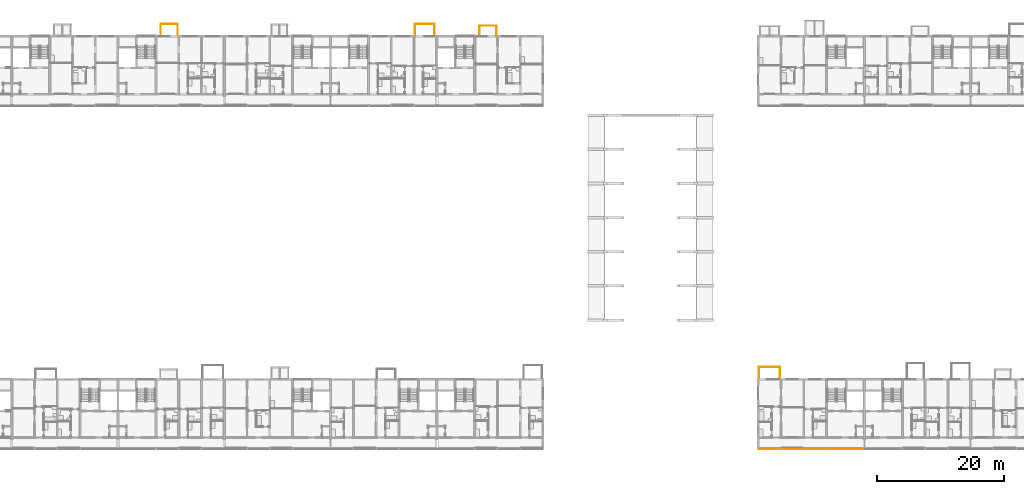
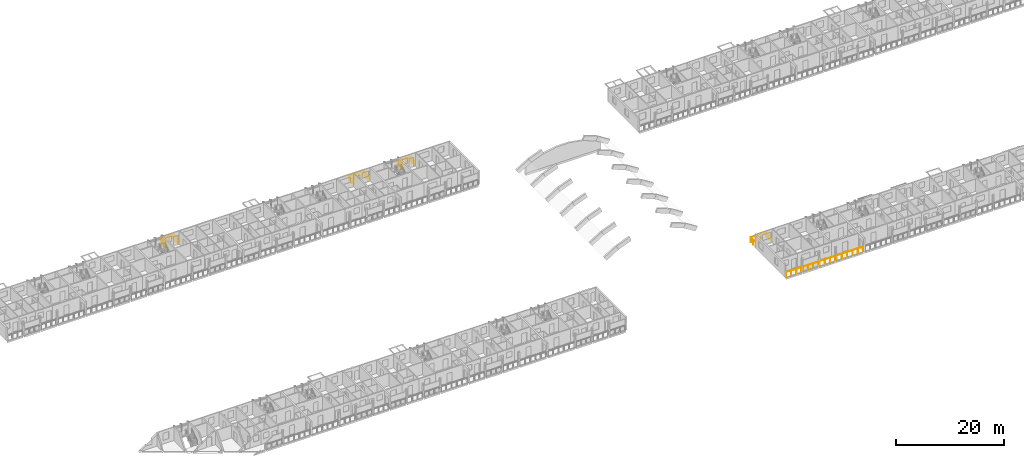
# One storey, part 87 of 99: 8 railings.
"""IFC4 building model written with IfcOpenShell, lengths in metres."""

from ifc_helpers import new_model, si_unit, direction, frame, origin, origin_2d, place, context, subcontext, project, spatial, circle, extrude, material, type_object, element, save


model = new_model("IFC4")

# Units and contexts
model_context = context("Model", 3, precision=1e-05, world=origin(), true_north=direction((0.0, 1.0)))
body_context = subcontext(model_context, "Body", "Model", "MODEL_VIEW")
ifc_project = project(units=[si_unit("LENGTHUNIT", "METRE"), si_unit("AREAUNIT", "SQUARE_METRE"), si_unit("VOLUMEUNIT", "CUBIC_METRE"), si_unit("PLANEANGLEUNIT", "RADIAN"), si_unit("MASSUNIT", "GRAM", prefix="KILO")], contexts=[model_context])

# Site, building, storey
site_placement = place(None, origin())
site = spatial("IfcSite", under=ifc_project, at=site_placement, CompositionType="ELEMENT")
building_placement = place(site_placement, origin())
building = spatial("IfcBuilding", under=site, at=building_placement, Name="Ridgestep Commons", CompositionType="ELEMENT")
storey_placement = place(building_placement, frame((0.0, 0.0, 15.0)))
storey = spatial("IfcBuildingStorey", under=building, at=storey_placement, Name="L05", CompositionType="ELEMENT", Elevation=15.0)

# Railings
ifc_material_1 = material(Name="Structural steel S355JR", Category="steel")
railing_type_1 = type_object("IfcRailingType", Name="Guard 1100", PredefinedType="GUARDRAIL", material=ifc_material_1)
railing_1_placement = place(storey_placement, frame((146.970947265625, 11.800048828125, 0.0)))
element("IfcRailing", 1, at=railing_1_placement, inside=storey, type_object=railing_type_1, Name="Gallery guard D 05.1", PredefinedType="GUARDRAIL", context=body_context, shape_type="SweptSolid", body=[
    extrude(circle(Radius=0.02392578125, at=origin_2d()), frame((0.0, 0.0, 1.076171875), z_axis=(1.0, 0.0, 0.0), x_axis=(0.0, 1.0, 0.0)), (0.0, 0.0, 1.0), 3.282958984375),
    extrude(circle(Radius=0.02099609375, at=origin_2d()), origin(), (0.0, 0.0, 1.0), 1.052001953125),
    extrude(circle(Radius=0.02099609375, at=origin_2d()), frame((1.09423828125, 0.0, 0.0)), (0.0, 0.0, 1.0), 1.052001953125),
    extrude(circle(Radius=0.02099609375, at=origin_2d()), frame((2.188720703125, 0.0, 0.0)), (0.0, 0.0, 1.0), 1.052001953125),
    extrude(circle(Radius=0.02099609375, at=origin_2d()), frame((3.282958984375, 0.0, 0.0)), (0.0, 0.0, 1.0), 1.052001953125),
])
for number, where, name in (
    (2, (150.5458984375, 11.800048828125, 0.0), "Gallery guard D 05.2"),
    (3, (154.14599609375, 11.800048828125, 0.0), "Gallery guard D 05.3"),
):
    element("IfcRailing", number, at=place(storey_placement, frame(where)), inside=storey, type_object=railing_type_1, Name=name, PredefinedType="GUARDRAIL", context=body_context, shape_type="SweptSolid", body=[
        extrude(circle(Radius=0.02392578125, at=origin_2d()), frame((0.0, 0.0, 1.076171875), z_axis=(1.0, 0.0, 0.0), x_axis=(0.0, 1.0, 0.0)), (0.0, 0.0, 1.0), 3.30810546875),
        extrude(circle(Radius=0.02099609375, at=origin_2d()), origin(), (0.0, 0.0, 1.0), 1.052001953125),
        extrude(circle(Radius=0.02099609375, at=origin_2d()), frame((1.102783203125, 0.0, 0.0)), (0.0, 0.0, 1.0), 1.052001953125),
        extrude(circle(Radius=0.02099609375, at=origin_2d()), frame((2.205322265625, 0.0, 0.0)), (0.0, 0.0, 1.0), 1.052001953125),
        extrude(circle(Radius=0.02099609375, at=origin_2d()), frame((3.30810546875, 0.0, 0.0)), (0.0, 0.0, 1.0), 1.052001953125),
    ])
railing_2_placement = place(storey_placement, frame((157.74609375, 11.800048828125, 0.0)))
element("IfcRailing", 4, at=railing_2_placement, inside=storey, type_object=railing_type_1, Name="Gallery guard D 05.4", PredefinedType="GUARDRAIL", context=body_context, shape_type="SweptSolid", body=[
    extrude(circle(Radius=0.02392578125, at=origin_2d()), frame((0.0, 0.0, 1.076171875), z_axis=(1.0, 0.0, 0.0), x_axis=(0.0, 1.0, 0.0)), (0.0, 0.0, 1.0), 5.682861328125),
    extrude(circle(Radius=0.02099609375, at=origin_2d()), origin(), (0.0, 0.0, 1.0), 1.052001953125),
    extrude(circle(Radius=0.02099609375, at=origin_2d()), frame((1.136474609375, 0.0, 0.0)), (0.0, 0.0, 1.0), 1.052001953125),
    extrude(circle(Radius=0.02099609375, at=origin_2d()), frame((2.273193359375, 0.0, 0.0)), (0.0, 0.0, 1.0), 1.052001953125),
    extrude(circle(Radius=0.02099609375, at=origin_2d()), frame((3.40966796875, 0.0, 0.0)), (0.0, 0.0, 1.0), 1.052001953125),
    extrude(circle(Radius=0.02099609375, at=origin_2d()), frame((4.54638671875, 0.0, 0.0)), (0.0, 0.0, 1.0), 1.052001953125),
    extrude(circle(Radius=0.02099609375, at=origin_2d()), frame((5.682861328125, 0.0, 0.0)), (0.0, 0.0, 1.0), 1.052001953125),
])
ifc_material_2 = material(Name="Weathering steel S355J2W", Category="steel")
railing_type_2 = type_object("IfcRailingType", Name="Tray guard 1100", PredefinedType="GUARDRAIL", material=ifc_material_2)
railing_3_placement = place(storey_placement, frame((146.950927734375, 23.02099609375, 0.0)))
element("IfcRailing", 5, at=railing_3_placement, inside=storey, type_object=railing_type_2, Name="Tray guard D1T1-05", PredefinedType="GUARDRAIL", context=body_context, shape_type="SweptSolid", body=[
    extrude(circle(Radius=0.02392578125, at=origin_2d()), frame((0.0, 0.0, 1.076171875), z_axis=(0.0, 1.0, 0.0), x_axis=(-1.0, 0.0, 0.0)), (0.0, 0.0, 1.0), 1.758056640625),
    extrude(circle(Radius=0.02392578125, at=origin_2d()), frame((0.0, 1.758056640625, 1.076171875), z_axis=(1.0, 0.0, 0.0), x_axis=(0.0, 1.0, 0.0)), (0.0, 0.0, 1.0), 3.298095703125),
    extrude(circle(Radius=0.02392578125, at=origin_2d()), frame((3.298095703125, 1.758056640625, 1.076171875), z_axis=(0.0, -1.0, 0.0), x_axis=(1.0, 0.0, 0.0)), (0.0, 0.0, 1.0), 1.758056640625),
    extrude(circle(Radius=0.02099609375, at=origin_2d()), origin(), (0.0, 0.0, 1.0), 1.052001953125),
    extrude(circle(Radius=0.02099609375, at=origin_2d()), frame((0.0, 0.87890625, 0.0)), (0.0, 0.0, 1.0), 1.052001953125),
    extrude(circle(Radius=0.02099609375, at=origin_2d()), frame((0.0, 1.758056640625, 0.0)), (0.0, 0.0, 1.0), 1.052001953125),
    extrude(circle(Radius=0.02099609375, at=origin_2d()), frame((1.099365234375, 1.758056640625, 0.0)), (0.0, 0.0, 1.0), 1.052001953125),
    extrude(circle(Radius=0.02099609375, at=origin_2d()), frame((2.19873046875, 1.758056640625, 0.0)), (0.0, 0.0, 1.0), 1.052001953125),
    extrude(circle(Radius=0.02099609375, at=origin_2d()), frame((3.298095703125, 1.758056640625, 0.0)), (0.0, 0.0, 1.0), 1.052001953125),
    extrude(circle(Radius=0.02099609375, at=origin_2d()), frame((3.298095703125, 0.87890625, 0.0)), (0.0, 0.0, 1.0), 1.052001953125),
    extrude(circle(Radius=0.02099609375, at=origin_2d()), frame((3.298095703125, 0.0, 0.0)), (0.0, 0.0, 1.0), 1.052001953125),
])
railing_4_placement = place(storey_placement, frame((92.551025390625, 77.27099609375, 0.0)))
element("IfcRailing", 6, at=railing_4_placement, inside=storey, type_object=railing_type_2, Name="Tray guard B5T1-05", PredefinedType="GUARDRAIL", context=body_context, shape_type="SweptSolid", body=[
    extrude(circle(Radius=0.02392578125, at=origin_2d()), frame((0.0, 0.0, 1.076171875), z_axis=(0.0, 1.0, 0.0), x_axis=(-1.0, 0.0, 0.0)), (0.0, 0.0, 1.0), 1.758056640625),
    extrude(circle(Radius=0.02392578125, at=origin_2d()), frame((0.0, 1.758056640625, 1.076171875), z_axis=(1.0, 0.0, 0.0), x_axis=(0.0, 1.0, 0.0)), (0.0, 0.0, 1.0), 3.097900390625),
    extrude(circle(Radius=0.02392578125, at=origin_2d()), frame((3.097900390625, 1.758056640625, 1.076171875), z_axis=(0.0, -1.0, 0.0), x_axis=(1.0, 0.0, 0.0)), (0.0, 0.0, 1.0), 1.758056640625),
    extrude(circle(Radius=0.02099609375, at=origin_2d()), origin(), (0.0, 0.0, 1.0), 1.052001953125),
    extrude(circle(Radius=0.02099609375, at=origin_2d()), frame((0.0, 0.87890625, 0.0)), (0.0, 0.0, 1.0), 1.052001953125),
    extrude(circle(Radius=0.02099609375, at=origin_2d()), frame((0.0, 1.758056640625, 0.0)), (0.0, 0.0, 1.0), 1.052001953125),
    extrude(circle(Radius=0.02099609375, at=origin_2d()), frame((1.03271484375, 1.758056640625, 0.0)), (0.0, 0.0, 1.0), 1.052001953125),
    extrude(circle(Radius=0.02099609375, at=origin_2d()), frame((2.065185546875, 1.758056640625, 0.0)), (0.0, 0.0, 1.0), 1.052001953125),
    extrude(circle(Radius=0.02099609375, at=origin_2d()), frame((3.097900390625, 1.758056640625, 0.0)), (0.0, 0.0, 1.0), 1.052001953125),
    extrude(circle(Radius=0.02099609375, at=origin_2d()), frame((3.097900390625, 0.87890625, 0.0)), (0.0, 0.0, 1.0), 1.052001953125),
    extrude(circle(Radius=0.02099609375, at=origin_2d()), frame((3.097900390625, 0.0, 0.0)), (0.0, 0.0, 1.0), 1.052001953125),
])
railing_5_placement = place(storey_placement, frame((52.35107421875, 77.27099609375, 0.0)))
element("IfcRailing", 7, at=railing_5_placement, inside=storey, type_object=railing_type_2, Name="Tray guard B3T3-05", PredefinedType="GUARDRAIL", context=body_context, shape_type="SweptSolid", body=[
    extrude(circle(Radius=0.02392578125, at=origin_2d()), frame((0.0, 0.0, 1.076171875), z_axis=(0.0, 1.0, 0.0), x_axis=(-1.0, 0.0, 0.0)), (0.0, 0.0, 1.0), 1.758056640625),
    extrude(circle(Radius=0.02392578125, at=origin_2d()), frame((0.0, 1.758056640625, 1.076171875), z_axis=(1.0, 0.0, 0.0), x_axis=(0.0, 1.0, 0.0)), (0.0, 0.0, 1.0), 2.697998046875),
    extrude(circle(Radius=0.02392578125, at=origin_2d()), frame((2.697998046875, 1.758056640625, 1.076171875), z_axis=(0.0, -1.0, 0.0), x_axis=(1.0, 0.0, 0.0)), (0.0, 0.0, 1.0), 1.758056640625),
    extrude(circle(Radius=0.02099609375, at=origin_2d()), origin(), (0.0, 0.0, 1.0), 1.052001953125),
    extrude(circle(Radius=0.02099609375, at=origin_2d()), frame((0.0, 0.87890625, 0.0)), (0.0, 0.0, 1.0), 1.052001953125),
    extrude(circle(Radius=0.02099609375, at=origin_2d()), frame((0.0, 1.758056640625, 0.0)), (0.0, 0.0, 1.0), 1.052001953125),
    extrude(circle(Radius=0.02099609375, at=origin_2d()), frame((0.8994140625, 1.758056640625, 0.0)), (0.0, 0.0, 1.0), 1.052001953125),
    extrude(circle(Radius=0.02099609375, at=origin_2d()), frame((1.798583984375, 1.758056640625, 0.0)), (0.0, 0.0, 1.0), 1.052001953125),
    extrude(circle(Radius=0.02099609375, at=origin_2d()), frame((2.697998046875, 1.758056640625, 0.0)), (0.0, 0.0, 1.0), 1.052001953125),
    extrude(circle(Radius=0.02099609375, at=origin_2d()), frame((2.697998046875, 0.87890625, 0.0)), (0.0, 0.0, 1.0), 1.052001953125),
    extrude(circle(Radius=0.02099609375, at=origin_2d()), frame((2.697998046875, 0.0, 0.0)), (0.0, 0.0, 1.0), 1.052001953125),
])
railing_6_placement = place(storey_placement, frame((102.7509765625, 77.27099609375, 0.0)))
element("IfcRailing", 8, at=railing_6_placement, inside=storey, type_object=railing_type_2, Name="Tray guard B6T3-05", PredefinedType="GUARDRAIL", context=body_context, shape_type="SweptSolid", body=[
    extrude(circle(Radius=0.02392578125, at=origin_2d()), frame((0.0, 0.0, 1.076171875), z_axis=(0.0, 1.0, 0.0), x_axis=(-1.0, 0.0, 0.0)), (0.0, 0.0, 1.0), 1.4580078125),
    extrude(circle(Radius=0.02392578125, at=origin_2d()), frame((0.0, 1.4580078125, 1.076171875), z_axis=(1.0, 0.0, 0.0), x_axis=(0.0, 1.0, 0.0)), (0.0, 0.0, 1.0), 2.697998046875),
    extrude(circle(Radius=0.02392578125, at=origin_2d()), frame((2.697998046875, 1.4580078125, 1.076171875), z_axis=(0.0, -1.0, 0.0), x_axis=(1.0, 0.0, 0.0)), (0.0, 0.0, 1.0), 1.4580078125),
    extrude(circle(Radius=0.02099609375, at=origin_2d()), origin(), (0.0, 0.0, 1.0), 1.052001953125),
    extrude(circle(Radius=0.02099609375, at=origin_2d()), frame((0.0, 0.72900390625, 0.0)), (0.0, 0.0, 1.0), 1.052001953125),
    extrude(circle(Radius=0.02099609375, at=origin_2d()), frame((0.0, 1.4580078125, 0.0)), (0.0, 0.0, 1.0), 1.052001953125),
    extrude(circle(Radius=0.02099609375, at=origin_2d()), frame((0.8994140625, 1.4580078125, 0.0)), (0.0, 0.0, 1.0), 1.052001953125),
    extrude(circle(Radius=0.02099609375, at=origin_2d()), frame((1.798583984375, 1.4580078125, 0.0)), (0.0, 0.0, 1.0), 1.052001953125),
    extrude(circle(Radius=0.02099609375, at=origin_2d()), frame((2.697998046875, 1.4580078125, 0.0)), (0.0, 0.0, 1.0), 1.052001953125),
    extrude(circle(Radius=0.02099609375, at=origin_2d()), frame((2.697998046875, 0.72900390625, 0.0)), (0.0, 0.0, 1.0), 1.052001953125),
    extrude(circle(Radius=0.02099609375, at=origin_2d()), frame((2.697998046875, 0.0, 0.0)), (0.0, 0.0, 1.0), 1.052001953125),
])

save(model, "model.ifc")
